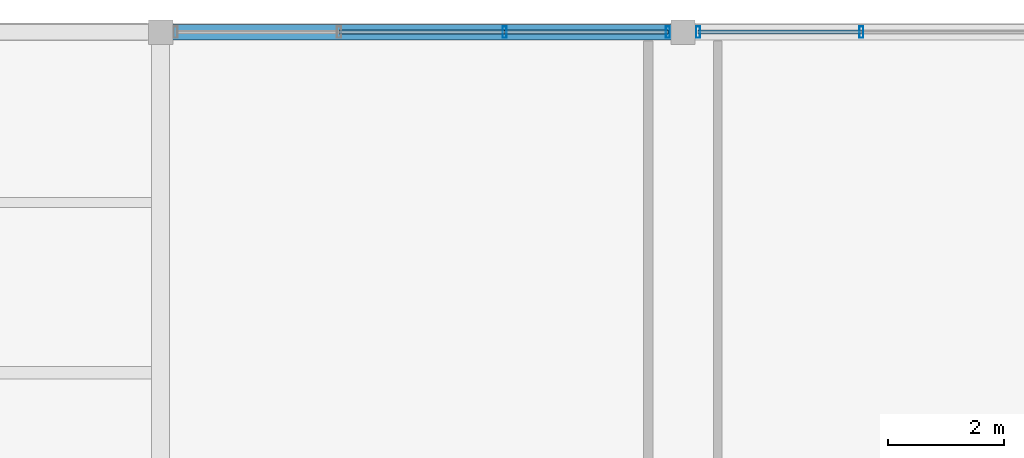
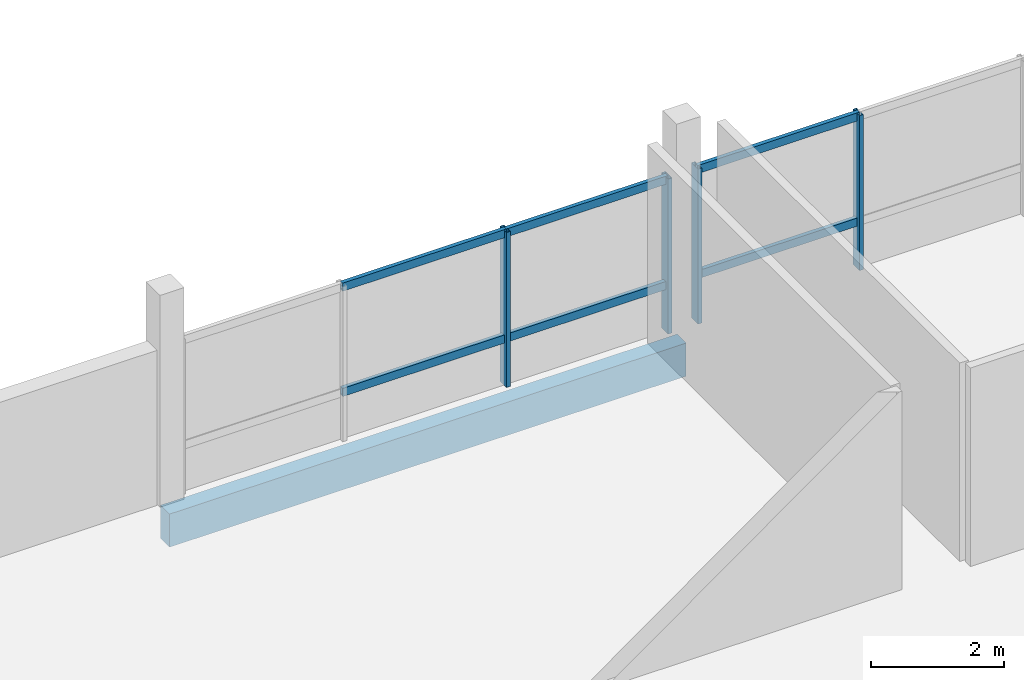
# One storey, part 34 of 47: 10 members, 1 beam, 2 elements without a shape of their own.
"""IFC4 building model written with IfcOpenShell, lengths in metres."""

from ifc_helpers import new_model, si_unit, direction, frame, origin, origin_2d, place, context, subcontext, project, spatial, rectangle, hollow_rectangle, extrude, material, layer, layer_set, material_profile, profile_set, type_object, element, aggregate, save


model = new_model("IFC4")

# Units and contexts
model_context = context("Model", 3, precision=1e-05, world=origin(), true_north=direction((0.0, 1.0)))
body_context = subcontext(model_context, "Body", "Model", "MODEL_VIEW")
ifc_project = project(units=[si_unit("LENGTHUNIT", "METRE"), si_unit("AREAUNIT", "SQUARE_METRE"), si_unit("VOLUMEUNIT", "CUBIC_METRE"), si_unit("PLANEANGLEUNIT", "RADIAN"), si_unit("MASSUNIT", "GRAM", prefix="KILO")], contexts=[model_context])

# Site, building, storey
site_placement = place(None, origin())
site = spatial("IfcSite", under=ifc_project, at=site_placement, CompositionType="ELEMENT")
building_placement = place(site_placement, origin())
building = spatial("IfcBuilding", under=site, at=building_placement, Name="Meriwether Solvik Hall", CompositionType="ELEMENT")
storey_placement = place(building_placement, frame((0.0, 0.0, 18.300048828125)))
storey = spatial("IfcBuildingStorey", under=building, at=storey_placement, Name="L04", CompositionType="ELEMENT", Elevation=18.300048828125)

# Beam
ifc_material_1 = material(Name="Glulam Douglas-Fir 24F-V8 GL28h", Category="wood")
ifc_material_profile_1 = material_profile(ifc_material_1, rectangle(XDim=0.27294921875, YDim=0.610107421875, at=origin_2d()), Name="GLB-273X610")
ifc_profile_set_1 = profile_set([ifc_material_profile_1], Name="Glulam Douglas-Fir 24F-V8 GL28h")
beam_type = type_object("IfcBeamType", Name="BM-GL-273X610", PredefinedType="SPANDREL", material=ifc_profile_set_1)
beam_placement = place(storey_placement, frame((77.800048828125, 92.800048828125, -0.550048828125), z_axis=(1.0, 0.0, 0.0), x_axis=(0.0, 1.0, 0.0)))
element("IfcBeam", 1, at=beam_placement, inside=storey, type_object=beam_type, Name="Podium Girder K:9-10 (L04)", PredefinedType="SPANDREL", context=body_context, shape_type="SweptSolid", body=[
    extrude(rectangle(XDim=0.27294921875, YDim=0.610107421875, at=origin_2d()), origin(), (0.0, 0.0, 1.0), 9.0),
])

# Curtain wall, members
ifc_material_2 = material(Name="Thermally Broken Anodised Aluminium 6063-T6 and Low-E Glass", Category="aluminium")
ifc_layer = layer(ifc_material_2, 0.179931640625)
ifc_layer_set = layer_set([ifc_layer], Name="Thermally Broken Anodised Aluminium 6063-T6 and Low-E Glass")
curtain_wall_type = type_object("IfcCurtainWallType", Name="CW-UNIT-E", PredefinedType="USERDEFINED", material=ifc_layer_set)
curtain_wall_1_placement = place(storey_placement, origin())
curtain_wall_1 = element("IfcCurtainWall", 2, at=curtain_wall_1_placement, inside=storey, type_object=curtain_wall_type, Name="Curtain Wall wing_XK_9_8 (L04)", ObjectType="UNITISED CURTAIN WALL", PredefinedType="USERDEFINED")
ifc_material_3 = material(Name="Anodised Aluminium 6063-T6", Category="aluminium")
ifc_material_profile_2 = material_profile(ifc_material_3, hollow_rectangle(XDim=0.070068359375, YDim=0.199951171875, WallThickness=0.0048828125, at=origin_2d()), Name="CWM-70X200")
ifc_profile_set_2 = profile_set([ifc_material_profile_2], Name="Anodised Aluminium 6063-T6")
member_type_1 = type_object("IfcMemberType", Name="CW-MUL-70X200", PredefinedType="MULLION", material=ifc_profile_set_2)
member_1_placement = place(storey_placement, frame((83.72607421875, 92.800048828125, 0.0), z_axis=(0.0, 0.0, 1.0), x_axis=(1.0, 0.0, 0.0)))
member_1 = element("IfcMember", 3, at=member_1_placement, type_object=member_type_1, Name="Curtain Wall Mullion 3", PredefinedType="MULLION", context=body_context, shape_type="SweptSolid", body=[
    extrude(hollow_rectangle(XDim=0.070068359375, YDim=0.199951171875, WallThickness=0.0048828125, at=origin_2d()), origin(), (0.0, 0.0, 1.0), 2.85498046875),
])
member_2_placement = place(storey_placement, frame((86.5400390625, 92.800048828125, 0.0), z_axis=(0.0, 0.0, 1.0), x_axis=(1.0, 0.0, 0.0)))
member_2 = element("IfcMember", 4, at=member_2_placement, type_object=member_type_1, Name="Curtain Wall Mullion 4", PredefinedType="MULLION", context=body_context, shape_type="SweptSolid", body=[
    extrude(hollow_rectangle(XDim=0.070068359375, YDim=0.199951171875, WallThickness=0.0048828125, at=origin_2d()), origin(), (0.0, 0.0, 1.0), 2.85498046875),
])

curtain_wall_2_placement = place(storey_placement, origin())
curtain_wall_2 = element("IfcCurtainWall", 5, at=curtain_wall_2_placement, inside=storey, type_object=curtain_wall_type, Name="Curtain Wall wing_XK_10_9 (L04)", ObjectType="UNITISED CURTAIN WALL", PredefinedType="USERDEFINED")
member_3_placement = place(storey_placement, frame((87.06005859375, 92.800048828125, 0.0), z_axis=(0.0, 0.0, 1.0), x_axis=(1.0, 0.0, 0.0)))
member_3 = element("IfcMember", 6, at=member_3_placement, type_object=member_type_1, Name="Curtain Wall Mullion 1", PredefinedType="MULLION", context=body_context, shape_type="SweptSolid", body=[
    extrude(hollow_rectangle(XDim=0.070068359375, YDim=0.199951171875, WallThickness=0.0048828125, at=origin_2d()), origin(), (0.0, 0.0, 1.0), 2.85498046875),
])
member_4_placement = place(storey_placement, frame((89.8740234375, 92.800048828125, 0.0), z_axis=(0.0, 0.0, 1.0), x_axis=(1.0, 0.0, 0.0)))
member_4 = element("IfcMember", 7, at=member_4_placement, type_object=member_type_1, Name="Curtain Wall Mullion 2", PredefinedType="MULLION", context=body_context, shape_type="SweptSolid", body=[
    extrude(hollow_rectangle(XDim=0.070068359375, YDim=0.199951171875, WallThickness=0.0048828125, at=origin_2d()), origin(), (0.0, 0.0, 1.0), 2.85498046875),
])

# Member
ifc_material_4 = material(Name="Anodised Aluminium 6063-T6", Category="aluminium")
ifc_material_profile_3 = material_profile(ifc_material_4, hollow_rectangle(XDim=0.070068359375, YDim=0.14990234375, WallThickness=0.0048828125, at=origin_2d()), Name="CWT-70X150")
ifc_profile_set_3 = profile_set([ifc_material_profile_3], Name="Anodised Aluminium 6063-T6")
member_type_2 = type_object("IfcMemberType", Name="CW-TRN-70X150", PredefinedType="USERDEFINED", material=ifc_profile_set_3)
member_5_placement = place(storey_placement, frame((80.8740234375, 92.800048828125, 0.8564453125), z_axis=(1.0, 0.0, 0.0), x_axis=(0.0, 1.0, 0.0)))
member_5 = element("IfcMember", 8, at=member_5_placement, type_object=member_type_2, Name="Curtain Wall Transom 2-sill", ObjectType="TRANSOM", PredefinedType="USERDEFINED", context=body_context, shape_type="SweptSolid", body=[
    extrude(hollow_rectangle(XDim=0.070068359375, YDim=0.14990234375, WallThickness=0.0048828125, at=origin_2d()), origin(), (0.0, 0.0, 1.0), 2.85205078125),
])

member_6_placement = place(storey_placement, frame((80.8740234375, 92.800048828125, 2.794921875), z_axis=(1.0, 0.0, 0.0), x_axis=(0.0, 1.0, 0.0)))
member_6 = element("IfcMember", 9, at=member_6_placement, type_object=member_type_2, Name="Curtain Wall Transom 2-head", ObjectType="TRANSOM", PredefinedType="USERDEFINED", context=body_context, shape_type="SweptSolid", body=[
    extrude(hollow_rectangle(XDim=0.070068359375, YDim=0.14990234375, WallThickness=0.0048828125, at=origin_2d()), origin(), (0.0, 0.0, 1.0), 2.85205078125),
])

member_7_placement = place(storey_placement, frame((83.72607421875, 92.800048828125, 0.8564453125), z_axis=(1.0, 0.0, 0.0), x_axis=(0.0, 1.0, 0.0)))
member_7 = element("IfcMember", 10, at=member_7_placement, type_object=member_type_2, Name="Curtain Wall Transom 3-sill", ObjectType="TRANSOM", PredefinedType="USERDEFINED", context=body_context, shape_type="SweptSolid", body=[
    extrude(hollow_rectangle(XDim=0.070068359375, YDim=0.14990234375, WallThickness=0.0048828125, at=origin_2d()), origin(), (0.0, 0.0, 1.0), 2.81396484375),
])

member_8_placement = place(storey_placement, frame((83.72607421875, 92.800048828125, 2.794921875), z_axis=(1.0, 0.0, 0.0), x_axis=(0.0, 1.0, 0.0)))
member_8 = element("IfcMember", 11, at=member_8_placement, type_object=member_type_2, Name="Curtain Wall Transom 3-head", ObjectType="TRANSOM", PredefinedType="USERDEFINED", context=body_context, shape_type="SweptSolid", body=[
    extrude(hollow_rectangle(XDim=0.070068359375, YDim=0.14990234375, WallThickness=0.0048828125, at=origin_2d()), origin(), (0.0, 0.0, 1.0), 2.81396484375),
])

aggregate(curtain_wall_1, [member_1, member_2, member_5, member_6, member_7, member_8])

member_9_placement = place(storey_placement, frame((87.06005859375, 92.800048828125, 0.8564453125), z_axis=(1.0, 0.0, 0.0), x_axis=(0.0, 1.0, 0.0)))
member_9 = element("IfcMember", 12, at=member_9_placement, type_object=member_type_2, Name="Curtain Wall Transom 1-sill", ObjectType="TRANSOM", PredefinedType="USERDEFINED", context=body_context, shape_type="SweptSolid", body=[
    extrude(hollow_rectangle(XDim=0.070068359375, YDim=0.14990234375, WallThickness=0.0048828125, at=origin_2d()), origin(), (0.0, 0.0, 1.0), 2.81396484375),
])

member_10_placement = place(storey_placement, frame((87.06005859375, 92.800048828125, 2.794921875), z_axis=(1.0, 0.0, 0.0), x_axis=(0.0, 1.0, 0.0)))
member_10 = element("IfcMember", 13, at=member_10_placement, type_object=member_type_2, Name="Curtain Wall Transom 1-head", ObjectType="TRANSOM", PredefinedType="USERDEFINED", context=body_context, shape_type="SweptSolid", body=[
    extrude(hollow_rectangle(XDim=0.070068359375, YDim=0.14990234375, WallThickness=0.0048828125, at=origin_2d()), origin(), (0.0, 0.0, 1.0), 2.81396484375),
])

aggregate(curtain_wall_2, [member_3, member_4, member_9, member_10])

save(model, "model.ifc")
